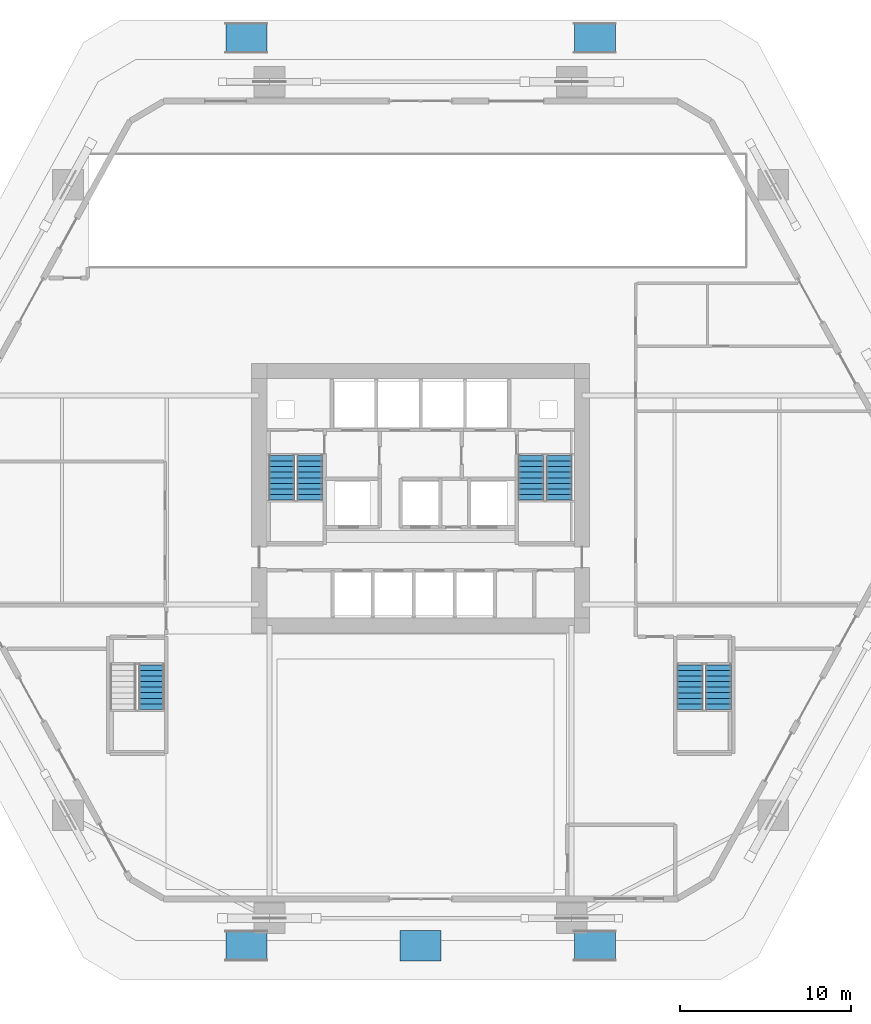
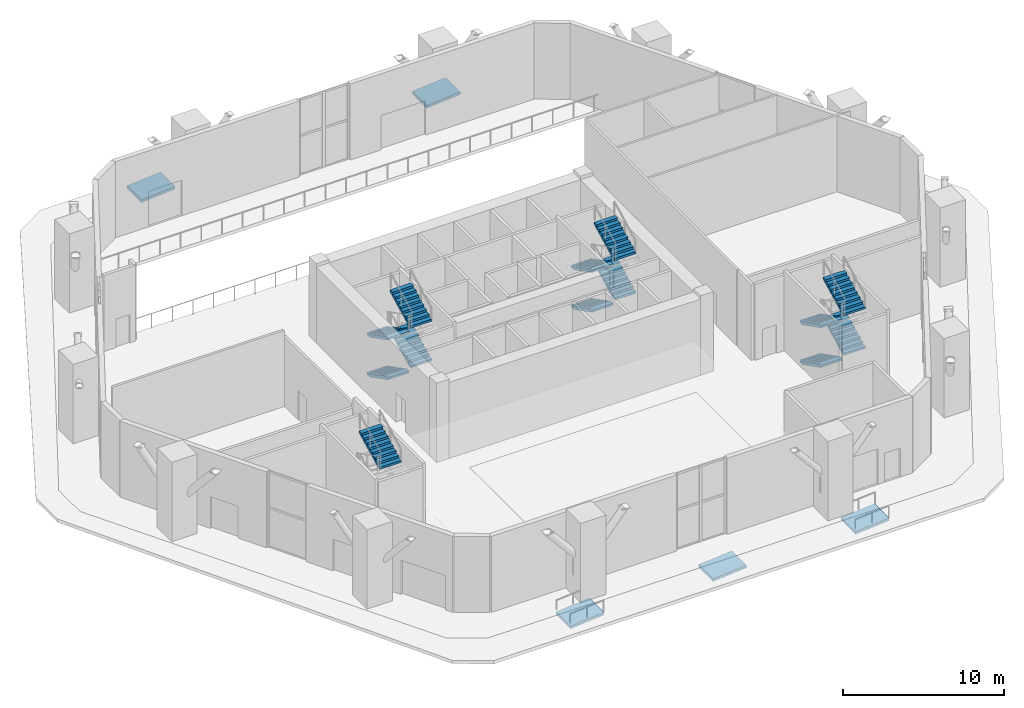
# One storey, part 18 of 22: 13 stair flights, 5 ramp flights, 9 elements without a shape of their own.
"""IFC4 building model written with IfcOpenShell, lengths in metres."""

import ifcopenshell
import ifcopenshell.guid

model = None  # the IFC model being written
_history = None  # IfcOwnerHistory: only IFC2X3 demands one
_inside = {}  # id of a spatial element -> (the spatial element, [elements in it])
_under = {}  # id of a project, library or spatial element -> (it, [spatial elements below it])
_declared = {}  # id of a project -> (the project, [libraries it declares])
_typed = {}  # id of a type object -> (the type object, [elements of that type])
_made_of = {}  # id of a material, layer set ... -> (it, [elements and type objects made of it])


def new_model(schema):
    """Start an empty IFC model of exactly this schema.

    Asked for "IFC4X3", IfcOpenShell would pick the latest addendum, in which some entities
    have other attributes; the version numbers below select the first issue.
    IFC2X3 requires an IfcOwnerHistory on every rooted entity: one is made here for all.
    """
    global model, _history
    if schema == "IFC4X3":
        model = ifcopenshell.file(schema_version=(4, 3, 0, 0))
    else:
        model = ifcopenshell.file(schema=schema)
    _inside.clear()
    _under.clear()
    _declared.clear()
    _typed.clear()
    _made_of.clear()
    _history = None
    if model.schema == "IFC2X3":
        org = make("IfcOrganization", Name="unknown")
        user = make(
            "IfcPersonAndOrganization",
            ThePerson=make("IfcPerson", FamilyName="unknown"),
            TheOrganization=org,
        )
        app = make(
            "IfcApplication",
            ApplicationDeveloper=org,
            Version="unknown",
            ApplicationFullName="unknown",
            ApplicationIdentifier="unknown",
        )
        _history = make(
            "IfcOwnerHistory",
            OwningUser=user,
            OwningApplication=app,
            ChangeAction="ADDED",
            CreationDate=0,
        )
    return model


def make(cls, **values):
    """One entity of the class cls with the attributes given. An attribute that is None is left unset."""
    return model.create_entity(
        cls, **{name: value for name, value in values.items() if value is not None}
    )


def rooted(cls, **values):
    """An entity with a GlobalId (a new one), such as an element, a storey or a relation."""
    return make(cls, GlobalId=ifcopenshell.guid.new(), OwnerHistory=_history, **values)


def si_unit(unit_type, name, prefix=None):
    """IfcSIUnit, for example si_unit("LENGTHUNIT", "METRE", prefix="MILLI")."""
    return make("IfcSIUnit", UnitType=unit_type, Prefix=prefix, Name=name)


def assignment(units):
    """IfcUnitAssignment: the units of a project."""
    return None if units is None else make("IfcUnitAssignment", Units=units)


def point(xyz):
    """IfcCartesianPoint."""
    return None if xyz is None else make("IfcCartesianPoint", Coordinates=xyz)


def direction(xyz):
    """IfcDirection."""
    return None if xyz is None else make("IfcDirection", DirectionRatios=xyz)


def frame(location, z_axis=None, x_axis=None):
    """IfcAxis2Placement3D, a coordinate frame: its origin and axes. An axis left out is left unset."""
    return make(
        "IfcAxis2Placement3D",
        Location=point(location),
        Axis=direction(z_axis),
        RefDirection=direction(x_axis),
    )


def origin():
    """The frame at (0, 0, 0) with its axes left unset."""
    return frame((0.0, 0.0, 0.0))


def place(relative_to, where):
    """IfcLocalPlacement: puts the frame where relative to a parent placement (None: the world)."""
    return make(
        "IfcLocalPlacement", PlacementRelTo=relative_to, RelativePlacement=where
    )


def context(
    kind, dimensions, precision=None, world=None, true_north=None, identifier=None
):
    """IfcGeometricRepresentationContext, for example the 3D "Model" context."""
    return make(
        "IfcGeometricRepresentationContext",
        ContextIdentifier=identifier,
        ContextType=kind,
        CoordinateSpaceDimension=dimensions,
        Precision=precision,
        WorldCoordinateSystem=world,
        TrueNorth=true_north,
    )


def subcontext(parent, identifier, kind, view, scale=None):
    """IfcGeometricRepresentationSubContext, for example "Body" below "Model"."""
    return make(
        "IfcGeometricRepresentationSubContext",
        ContextIdentifier=identifier,
        ContextType=kind,
        ParentContext=parent,
        TargetScale=scale,
        TargetView=view,
    )


def project(units=None, contexts=None):
    """IfcProject with its units and contexts."""
    return rooted(
        "IfcProject",
        Name="project",
        RepresentationContexts=contexts,
        UnitsInContext=assignment(units),
    )


def spatial(cls, under=None, at=None, **own):
    """A site, building, storey or space (cls), placed at a placement, below another one or the project."""
    s = rooted(cls, ObjectPlacement=at, **own)
    if under is not None:
        _under.setdefault(under.id(), (under, []))[1].append(s)
    return s


def polyline(points):
    """IfcPolyline through the points."""
    return make("IfcPolyline", Points=[point(p) for p in points])


def outline(outer, holes=None, kind="AREA"):
    """IfcArbitraryClosedProfileDef: a profile drawn as a closed curve; with holes, ...WithVoids."""
    if holes is None:
        return make("IfcArbitraryClosedProfileDef", ProfileType=kind, OuterCurve=outer)
    return make(
        "IfcArbitraryProfileDefWithVoids",
        ProfileType=kind,
        OuterCurve=outer,
        InnerCurves=holes,
    )


def extrude(swept, where, along, depth):
    """IfcExtrudedAreaSolid: the profile swept, set in the frame where, extruded along a direction by depth."""
    return make(
        "IfcExtrudedAreaSolid",
        SweptArea=swept,
        Position=where,
        ExtrudedDirection=direction(along),
        Depth=depth,
    )


def shape(context_of_items, identifier, shape_type, items):
    """IfcShapeRepresentation: the items that make up one representation, for example the "Body"."""
    return make(
        "IfcShapeRepresentation",
        ContextOfItems=context_of_items,
        RepresentationIdentifier=identifier,
        RepresentationType=shape_type,
        Items=items,
    )


def material(Name=None, Category=None):
    """IfcMaterial."""
    return make("IfcMaterial", Name=Name, Category=Category)


def layer(
    of_material, thickness, ventilated=None, Name=None, Category=None, Priority=None
):
    """IfcMaterialLayer: one layer of a wall or slab, of a material (None: an air gap)."""
    return make(
        "IfcMaterialLayer",
        Material=of_material,
        LayerThickness=thickness,
        IsVentilated=ventilated,
        Name=Name,
        Category=Category,
        Priority=Priority,
    )


def layer_set(layers, Name=None):
    """IfcMaterialLayerSet."""
    return make("IfcMaterialLayerSet", MaterialLayers=layers, LayerSetName=Name)


def made_of(thing, what):
    """Note that an element or type object is made of a material, layer set ...; save() writes the relation."""
    if what is not None:
        _made_of.setdefault(what.id(), (what, []))[1].append(thing)
    return thing


def type_object(cls, material=None, **own):
    """A type object (cls), such as IfcWallType, which elements share."""
    return made_of(rooted(cls, **own), material)


def element(
    cls,
    number,
    at=None,
    inside=None,
    cuts=None,
    type_object=None,
    material=None,
    context=None,
    identifier="Body",
    shape_type=None,
    held_by="IfcProductDefinitionShape",
    body=None,
    shapes=None,
    **own,
):
    """One element of the class cls, such as IfcWall. Its Tag is "e" and its number.

    at: its placement. inside: the storey or other place that contains it. cuts: it is an
    opening in that element (IfcRelVoidsElement). A single representation is given by context,
    identifier, shape_type and body (its items); several are given by shapes. held_by: the class
    of the entity that holds the representations. save() writes the other relations.
    """
    e = rooted(cls, Tag="e%d" % number, ObjectPlacement=at, **own)
    if body is not None:
        shapes = [shape(context, identifier, shape_type, body)]
    if shapes is not None:
        e.Representation = make(held_by, Representations=shapes)
    if inside is not None:
        _inside.setdefault(inside.id(), (inside, []))[1].append(e)
    if cuts is not None:
        rooted(
            "IfcRelVoidsElement", RelatingBuildingElement=cuts, RelatedOpeningElement=e
        )
    if type_object is not None:
        _typed.setdefault(type_object.id(), (type_object, []))[1].append(e)
    return made_of(e, material)


def aggregate(whole, parts):
    """IfcRelAggregates: a whole, such as a stair, and the parts it consists of."""
    return rooted("IfcRelAggregates", RelatingObject=whole, RelatedObjects=parts)


def save(model, path):
    """Write the relations noted so far, then the file.

    IfcRelAggregates (storeys below a building ...), IfcRelContainedInSpatialStructure (elements
    in a storey), IfcRelDefinesByType, IfcRelAssociatesMaterial and IfcRelDeclares: one each for
    every whole, place, type object, material and project.
    """
    for whole, parts in _under.values():
        aggregate(whole, parts)
    for where, things in _inside.values():
        rooted(
            "IfcRelContainedInSpatialStructure",
            RelatedElements=things,
            RelatingStructure=where,
        )
    for kind, things in _typed.values():
        rooted("IfcRelDefinesByType", RelatedObjects=things, RelatingType=kind)
    for what, things in _made_of.values():
        rooted("IfcRelAssociatesMaterial", RelatedObjects=things, RelatingMaterial=what)
    for by, libraries in _declared.values():
        rooted("IfcRelDeclares", RelatingContext=by, RelatedDefinitions=libraries)
    model.write(path)


model = new_model("IFC4")

# Units and contexts
model_context = context("Model", 3, precision=1e-05, world=origin(), true_north=direction((0.0, 1.0)))
body_context = subcontext(model_context, "Body", "Model", "MODEL_VIEW")
ifc_project = project(units=[si_unit("LENGTHUNIT", "METRE"), si_unit("AREAUNIT", "SQUARE_METRE"), si_unit("VOLUMEUNIT", "CUBIC_METRE"), si_unit("PLANEANGLEUNIT", "RADIAN"), si_unit("MASSUNIT", "GRAM", prefix="KILO")], contexts=[model_context])

# Site, building, storey
site_placement = place(None, origin())
site = spatial("IfcSite", under=ifc_project, at=site_placement, CompositionType="ELEMENT")
building_placement = place(site_placement, origin())
building = spatial("IfcBuilding", under=site, at=building_placement, Name="Cinnabar Lancet Tower", CompositionType="ELEMENT")
storey_placement = place(building_placement, origin())
storey = spatial("IfcBuildingStorey", under=building, at=storey_placement, Name="L00", CompositionType="ELEMENT", Elevation=0.0)

# Stair, stair flights
ifc_material_1 = material(Name="Concrete C40/50", Category="concrete")
stair_type_1 = type_object("IfcStairType", Name="ST-CORE", PredefinedType="HALF_TURN_STAIR", material=ifc_material_1)
stair_1_placement = place(storey_placement, origin())
stair_1 = element("IfcStair", 1, at=stair_1_placement, inside=storey, type_object=stair_type_1, Name="L00 ST-1", PredefinedType="HALF_TURN_STAIR")
ifc_material_2 = material(Name="Concrete C40/50", Category="concrete")
stair_flight_type_1 = type_object("IfcStairFlightType", Name="FLIGHT-CORE", PredefinedType="STRAIGHT", material=ifc_material_2)
stair_flight_1_placement = place(storey_placement, frame((24.27490234375, 28.39990234375, 0.0), z_axis=(0.0, 0.0, 1.0), x_axis=(0.0, -1.0, 0.0)))
stair_flight_1 = element("IfcStairFlight", 2, at=stair_flight_1_placement, type_object=stair_flight_type_1, Name="ST-1 flight 1", NumberOfRisers=9, NumberOfTreads=8, PredefinedType="STRAIGHT", RiserHeight=0.166666667, TreadLength=0.325, context=body_context, shape_type="SweptSolid", body=[
    extrude(outline(polyline([(0.0, 0.0), (0.0, 0.166748046875), (0.324951171875, 0.166748046875), (0.324951171875, 0.333251953125), (0.64990234375, 0.333251953125), (0.64990234375, 0.5), (0.97509765625, 0.5), (0.97509765625, 0.666748046875), (1.300048828125, 0.666748046875), (1.300048828125, 0.833251953125), (1.625, 0.833251953125), (1.625, 1.0), (1.949951171875, 1.0), (1.949951171875, 1.166748046875), (2.27490234375, 1.166748046875), (2.27490234375, 1.333251953125), (2.60009765625, 1.333251953125), (2.60009765625, 1.5), (2.60009765625, 1.164794921875), (0.32861328125, 0.0), (0.0, 0.0)])), frame((0.0, 0.75, 0.0), z_axis=(0.0, -1.0, 0.0), x_axis=(1.0, 0.0, 0.0)), (0.0, 0.0, 1.0), 1.5),
])
stair_flight_2_placement = place(storey_placement, frame((25.925048828125, 25.800048828125, 1.5), z_axis=(0.0, 0.0, 1.0), x_axis=(0.0, 1.0, 0.0)))
stair_flight_2 = element("IfcStairFlight", 3, at=stair_flight_2_placement, type_object=stair_flight_type_1, Name="ST-1 flight 2", NumberOfRisers=9, NumberOfTreads=8, PredefinedType="STRAIGHT", RiserHeight=0.166666667, TreadLength=0.325, context=body_context, shape_type="SweptSolid", body=[
    extrude(outline(polyline([(0.0, 0.0), (0.0, 0.166748046875), (0.324951171875, 0.166748046875), (0.324951171875, 0.333251953125), (0.64990234375, 0.333251953125), (0.64990234375, 0.5), (0.97509765625, 0.5), (0.97509765625, 0.666748046875), (1.300048828125, 0.666748046875), (1.300048828125, 0.833251953125), (1.625, 0.833251953125), (1.625, 1.0), (1.949951171875, 1.0), (1.949951171875, 1.166748046875), (2.27490234375, 1.166748046875), (2.27490234375, 1.333251953125), (2.60009765625, 1.333251953125), (2.60009765625, 1.5), (2.60009765625, 1.164794921875), (0.32861328125, 0.0), (0.0, 0.0)])), frame((0.0, 0.75, 0.0), z_axis=(0.0, -1.0, 0.0), x_axis=(1.0, 0.0, 0.0)), (0.0, 0.0, 1.0), 1.5),
])
stair_flight_3_placement = place(storey_placement, frame((24.27490234375, 28.39990234375, 3.0), z_axis=(0.0, 0.0, 1.0), x_axis=(0.0, -1.0, 0.0)))
stair_flight_3 = element("IfcStairFlight", 4, at=stair_flight_3_placement, type_object=stair_flight_type_1, Name="ST-1 flight 3", NumberOfRisers=9, NumberOfTreads=8, PredefinedType="STRAIGHT", RiserHeight=0.166666667, TreadLength=0.325, context=body_context, shape_type="SweptSolid", body=[
    extrude(outline(polyline([(0.0, 0.0), (0.0, 0.166748046875), (0.324951171875, 0.166748046875), (0.324951171875, 0.333251953125), (0.64990234375, 0.333251953125), (0.64990234375, 0.5), (0.97509765625, 0.5), (0.97509765625, 0.666748046875), (1.300048828125, 0.666748046875), (1.300048828125, 0.833251953125), (1.625, 0.833251953125), (1.625, 1.0), (1.949951171875, 1.0), (1.949951171875, 1.166748046875), (2.27490234375, 1.166748046875), (2.27490234375, 1.333251953125), (2.60009765625, 1.333251953125), (2.60009765625, 1.5), (2.60009765625, 1.164794921875), (0.32861328125, 0.0), (0.0, 0.0)])), frame((0.0, 0.75, 0.0), z_axis=(0.0, -1.0, 0.0), x_axis=(1.0, 0.0, 0.0)), (0.0, 0.0, 1.0), 1.5),
])
stair_flight_4_placement = place(storey_placement, frame((25.925048828125, 25.800048828125, 4.5), z_axis=(0.0, 0.0, 1.0), x_axis=(0.0, 1.0, 0.0)))
stair_flight_4 = element("IfcStairFlight", 5, at=stair_flight_4_placement, type_object=stair_flight_type_1, Name="ST-1 flight 4", NumberOfRisers=9, NumberOfTreads=8, PredefinedType="STRAIGHT", RiserHeight=0.166666667, TreadLength=0.325, context=body_context, shape_type="SweptSolid", body=[
    extrude(outline(polyline([(0.0, 0.0), (0.0, 0.166748046875), (0.324951171875, 0.166748046875), (0.324951171875, 0.333251953125), (0.64990234375, 0.333251953125), (0.64990234375, 0.5), (0.97509765625, 0.5), (0.97509765625, 0.666748046875), (1.300048828125, 0.666748046875), (1.300048828125, 0.833251953125), (1.625, 0.833251953125), (1.625, 1.0), (1.949951171875, 1.0), (1.949951171875, 1.166748046875), (2.27490234375, 1.166748046875), (2.27490234375, 1.333251953125), (2.60009765625, 1.333251953125), (2.60009765625, 1.5), (2.60009765625, 1.164794921875), (0.32861328125, 0.0), (0.0, 0.0)])), frame((0.0, 0.75, 0.0), z_axis=(0.0, -1.0, 0.0), x_axis=(1.0, 0.0, 0.0)), (0.0, 0.0, 1.0), 1.5),
])
aggregate(stair_1, [stair_flight_1, stair_flight_2, stair_flight_3, stair_flight_4])

stair_2_placement = place(storey_placement, origin())
stair_2 = element("IfcStair", 6, at=stair_2_placement, inside=storey, type_object=stair_type_1, Name="L00 ST-2", PredefinedType="HALF_TURN_STAIR")
stair_flight_5_placement = place(storey_placement, frame((38.875, 28.39990234375, 0.0), z_axis=(0.0, 0.0, 1.0), x_axis=(0.0, -1.0, 0.0)))
stair_flight_5 = element("IfcStairFlight", 7, at=stair_flight_5_placement, type_object=stair_flight_type_1, Name="ST-2 flight 1", NumberOfRisers=9, NumberOfTreads=8, PredefinedType="STRAIGHT", RiserHeight=0.166666667, TreadLength=0.325, context=body_context, shape_type="SweptSolid", body=[
    extrude(outline(polyline([(0.0, 0.0), (0.0, 0.166748046875), (0.324951171875, 0.166748046875), (0.324951171875, 0.333251953125), (0.64990234375, 0.333251953125), (0.64990234375, 0.5), (0.97509765625, 0.5), (0.97509765625, 0.666748046875), (1.300048828125, 0.666748046875), (1.300048828125, 0.833251953125), (1.625, 0.833251953125), (1.625, 1.0), (1.949951171875, 1.0), (1.949951171875, 1.166748046875), (2.27490234375, 1.166748046875), (2.27490234375, 1.333251953125), (2.60009765625, 1.333251953125), (2.60009765625, 1.5), (2.60009765625, 1.164794921875), (0.32861328125, 0.0), (0.0, 0.0)])), frame((0.0, 0.75, 0.0), z_axis=(0.0, -1.0, 0.0), x_axis=(1.0, 0.0, 0.0)), (0.0, 0.0, 1.0), 1.5),
])
stair_flight_6_placement = place(storey_placement, frame((40.52490234375, 25.800048828125, 1.5), z_axis=(0.0, 0.0, 1.0), x_axis=(0.0, 1.0, 0.0)))
stair_flight_6 = element("IfcStairFlight", 8, at=stair_flight_6_placement, type_object=stair_flight_type_1, Name="ST-2 flight 2", NumberOfRisers=9, NumberOfTreads=8, PredefinedType="STRAIGHT", RiserHeight=0.166666667, TreadLength=0.325, context=body_context, shape_type="SweptSolid", body=[
    extrude(outline(polyline([(0.0, 0.0), (0.0, 0.166748046875), (0.324951171875, 0.166748046875), (0.324951171875, 0.333251953125), (0.64990234375, 0.333251953125), (0.64990234375, 0.5), (0.97509765625, 0.5), (0.97509765625, 0.666748046875), (1.300048828125, 0.666748046875), (1.300048828125, 0.833251953125), (1.625, 0.833251953125), (1.625, 1.0), (1.949951171875, 1.0), (1.949951171875, 1.166748046875), (2.27490234375, 1.166748046875), (2.27490234375, 1.333251953125), (2.60009765625, 1.333251953125), (2.60009765625, 1.5), (2.60009765625, 1.164794921875), (0.32861328125, 0.0), (0.0, 0.0)])), frame((0.0, 0.75, 0.0), z_axis=(0.0, -1.0, 0.0), x_axis=(1.0, 0.0, 0.0)), (0.0, 0.0, 1.0), 1.5),
])
stair_flight_7_placement = place(storey_placement, frame((38.875, 28.39990234375, 3.0), z_axis=(0.0, 0.0, 1.0), x_axis=(0.0, -1.0, 0.0)))
stair_flight_7 = element("IfcStairFlight", 9, at=stair_flight_7_placement, type_object=stair_flight_type_1, Name="ST-2 flight 3", NumberOfRisers=9, NumberOfTreads=8, PredefinedType="STRAIGHT", RiserHeight=0.166666667, TreadLength=0.325, context=body_context, shape_type="SweptSolid", body=[
    extrude(outline(polyline([(0.0, 0.0), (0.0, 0.166748046875), (0.324951171875, 0.166748046875), (0.324951171875, 0.333251953125), (0.64990234375, 0.333251953125), (0.64990234375, 0.5), (0.97509765625, 0.5), (0.97509765625, 0.666748046875), (1.300048828125, 0.666748046875), (1.300048828125, 0.833251953125), (1.625, 0.833251953125), (1.625, 1.0), (1.949951171875, 1.0), (1.949951171875, 1.166748046875), (2.27490234375, 1.166748046875), (2.27490234375, 1.333251953125), (2.60009765625, 1.333251953125), (2.60009765625, 1.5), (2.60009765625, 1.164794921875), (0.32861328125, 0.0), (0.0, 0.0)])), frame((0.0, 0.75, 0.0), z_axis=(0.0, -1.0, 0.0), x_axis=(1.0, 0.0, 0.0)), (0.0, 0.0, 1.0), 1.5),
])
stair_flight_8_placement = place(storey_placement, frame((40.52490234375, 25.800048828125, 4.5), z_axis=(0.0, 0.0, 1.0), x_axis=(0.0, 1.0, 0.0)))
stair_flight_8 = element("IfcStairFlight", 10, at=stair_flight_8_placement, type_object=stair_flight_type_1, Name="ST-2 flight 4", NumberOfRisers=9, NumberOfTreads=8, PredefinedType="STRAIGHT", RiserHeight=0.166666667, TreadLength=0.325, context=body_context, shape_type="SweptSolid", body=[
    extrude(outline(polyline([(0.0, 0.0), (0.0, 0.166748046875), (0.324951171875, 0.166748046875), (0.324951171875, 0.333251953125), (0.64990234375, 0.333251953125), (0.64990234375, 0.5), (0.97509765625, 0.5), (0.97509765625, 0.666748046875), (1.300048828125, 0.666748046875), (1.300048828125, 0.833251953125), (1.625, 0.833251953125), (1.625, 1.0), (1.949951171875, 1.0), (1.949951171875, 1.166748046875), (2.27490234375, 1.166748046875), (2.27490234375, 1.333251953125), (2.60009765625, 1.333251953125), (2.60009765625, 1.5), (2.60009765625, 1.164794921875), (0.32861328125, 0.0), (0.0, 0.0)])), frame((0.0, 0.75, 0.0), z_axis=(0.0, -1.0, 0.0), x_axis=(1.0, 0.0, 0.0)), (0.0, 0.0, 1.0), 1.5),
])
aggregate(stair_2, [stair_flight_5, stair_flight_6, stair_flight_7, stair_flight_8])

# Stair, stair flight
ifc_material_3 = material(Name="Concrete C40/50", Category="concrete")
stair_type_2 = type_object("IfcStairType", Name="ST-POD", PredefinedType="HALF_TURN_STAIR", material=ifc_material_3)
stair_3_placement = place(storey_placement, origin())
stair_3 = element("IfcStair", 11, at=stair_3_placement, inside=storey, type_object=stair_type_2, Name="L00 ST-3", PredefinedType="HALF_TURN_STAIR")
ifc_material_4 = material(Name="Concrete C40/50", Category="concrete")
stair_flight_type_2 = type_object("IfcStairFlightType", Name="FLIGHT-POD", PredefinedType="STRAIGHT", material=ifc_material_4)
stair_flight_9_placement = place(storey_placement, frame((16.655029296875, 13.53564453125, 4.5), z_axis=(0.0, 0.0, 1.0), x_axis=(0.0, 1.0, 0.0)))
stair_flight_9 = element("IfcStairFlight", 12, at=stair_flight_9_placement, type_object=stair_flight_type_2, Name="ST-3 flight 4", NumberOfRisers=9, NumberOfTreads=8, PredefinedType="STRAIGHT", RiserHeight=0.166666667, TreadLength=0.3268, context=body_context, shape_type="SweptSolid", body=[
    extrude(outline(polyline([(0.0, 0.0), (0.0, 0.166748046875), (0.326904296875, 0.166748046875), (0.326904296875, 0.333251953125), (0.653564453125, 0.333251953125), (0.653564453125, 0.5), (0.98046875, 0.5), (0.98046875, 0.666748046875), (1.30712890625, 0.666748046875), (1.30712890625, 0.833251953125), (1.634033203125, 0.833251953125), (1.634033203125, 1.0), (1.960693359375, 1.0), (1.960693359375, 1.166748046875), (2.28759765625, 1.166748046875), (2.28759765625, 1.333251953125), (2.614501953125, 1.333251953125), (2.614501953125, 1.5), (2.614501953125, 1.1650390625), (0.329833984375, 0.0), (0.0, 0.0)])), frame((0.0, 0.760009765625, 0.0), z_axis=(0.0, -1.0, 0.0), x_axis=(1.0, 0.0, 0.0)), (0.0, 0.0, 1.0), 1.52001953125),
])
aggregate(stair_3, [stair_flight_9])

# Stair, stair flights
stair_4_placement = place(storey_placement, origin())
stair_4 = element("IfcStair", 13, at=stair_4_placement, inside=storey, type_object=stair_type_2, Name="L00 ST-4", PredefinedType="HALF_TURN_STAIR")
stair_flight_10_placement = place(storey_placement, frame((48.18505859375, 16.14990234375, 0.0), z_axis=(0.0, 0.0, 1.0), x_axis=(0.0, -1.0, 0.0)))
stair_flight_10 = element("IfcStairFlight", 14, at=stair_flight_10_placement, type_object=stair_flight_type_2, Name="ST-4 flight 1", NumberOfRisers=9, NumberOfTreads=8, PredefinedType="STRAIGHT", RiserHeight=0.166666667, TreadLength=0.3268, context=body_context, shape_type="SweptSolid", body=[
    extrude(outline(polyline([(0.0, 0.0), (0.0, 0.166748046875), (0.326904296875, 0.166748046875), (0.326904296875, 0.333251953125), (0.653564453125, 0.333251953125), (0.653564453125, 0.5), (0.98046875, 0.5), (0.98046875, 0.666748046875), (1.30712890625, 0.666748046875), (1.30712890625, 0.833251953125), (1.634033203125, 0.833251953125), (1.634033203125, 1.0), (1.960693359375, 1.0), (1.960693359375, 1.166748046875), (2.28759765625, 1.166748046875), (2.28759765625, 1.333251953125), (2.614501953125, 1.333251953125), (2.614501953125, 1.5), (2.614501953125, 1.1650390625), (0.329833984375, 0.0), (0.0, 0.0)])), frame((0.0, 0.760009765625, 0.0), z_axis=(0.0, -1.0, 0.0), x_axis=(1.0, 0.0, 0.0)), (0.0, 0.0, 1.0), 1.52001953125),
])
stair_flight_11_placement = place(storey_placement, frame((49.85498046875, 13.53564453125, 1.5), z_axis=(0.0, 0.0, 1.0), x_axis=(0.0, 1.0, 0.0)))
stair_flight_11 = element("IfcStairFlight", 15, at=stair_flight_11_placement, type_object=stair_flight_type_2, Name="ST-4 flight 2", NumberOfRisers=9, NumberOfTreads=8, PredefinedType="STRAIGHT", RiserHeight=0.166666667, TreadLength=0.3268, context=body_context, shape_type="SweptSolid", body=[
    extrude(outline(polyline([(0.0, 0.0), (0.0, 0.166748046875), (0.326904296875, 0.166748046875), (0.326904296875, 0.333251953125), (0.653564453125, 0.333251953125), (0.653564453125, 0.5), (0.98046875, 0.5), (0.98046875, 0.666748046875), (1.30712890625, 0.666748046875), (1.30712890625, 0.833251953125), (1.634033203125, 0.833251953125), (1.634033203125, 1.0), (1.960693359375, 1.0), (1.960693359375, 1.166748046875), (2.28759765625, 1.166748046875), (2.28759765625, 1.333251953125), (2.614501953125, 1.333251953125), (2.614501953125, 1.5), (2.614501953125, 1.1650390625), (0.329833984375, 0.0), (0.0, 0.0)])), frame((0.0, 0.760009765625, 0.0), z_axis=(0.0, -1.0, 0.0), x_axis=(1.0, 0.0, 0.0)), (0.0, 0.0, 1.0), 1.52001953125),
])
stair_flight_12_placement = place(storey_placement, frame((48.18505859375, 16.14990234375, 3.0), z_axis=(0.0, 0.0, 1.0), x_axis=(0.0, -1.0, 0.0)))
stair_flight_12 = element("IfcStairFlight", 16, at=stair_flight_12_placement, type_object=stair_flight_type_2, Name="ST-4 flight 3", NumberOfRisers=9, NumberOfTreads=8, PredefinedType="STRAIGHT", RiserHeight=0.166666667, TreadLength=0.3268, context=body_context, shape_type="SweptSolid", body=[
    extrude(outline(polyline([(0.0, 0.0), (0.0, 0.166748046875), (0.326904296875, 0.166748046875), (0.326904296875, 0.333251953125), (0.653564453125, 0.333251953125), (0.653564453125, 0.5), (0.98046875, 0.5), (0.98046875, 0.666748046875), (1.30712890625, 0.666748046875), (1.30712890625, 0.833251953125), (1.634033203125, 0.833251953125), (1.634033203125, 1.0), (1.960693359375, 1.0), (1.960693359375, 1.166748046875), (2.28759765625, 1.166748046875), (2.28759765625, 1.333251953125), (2.614501953125, 1.333251953125), (2.614501953125, 1.5), (2.614501953125, 1.1650390625), (0.329833984375, 0.0), (0.0, 0.0)])), frame((0.0, 0.760009765625, 0.0), z_axis=(0.0, -1.0, 0.0), x_axis=(1.0, 0.0, 0.0)), (0.0, 0.0, 1.0), 1.52001953125),
])
stair_flight_13_placement = place(storey_placement, frame((49.85498046875, 13.53564453125, 4.5), z_axis=(0.0, 0.0, 1.0), x_axis=(0.0, 1.0, 0.0)))
stair_flight_13 = element("IfcStairFlight", 17, at=stair_flight_13_placement, type_object=stair_flight_type_2, Name="ST-4 flight 4", NumberOfRisers=9, NumberOfTreads=8, PredefinedType="STRAIGHT", RiserHeight=0.166666667, TreadLength=0.3268, context=body_context, shape_type="SweptSolid", body=[
    extrude(outline(polyline([(0.0, 0.0), (0.0, 0.166748046875), (0.326904296875, 0.166748046875), (0.326904296875, 0.333251953125), (0.653564453125, 0.333251953125), (0.653564453125, 0.5), (0.98046875, 0.5), (0.98046875, 0.666748046875), (1.30712890625, 0.666748046875), (1.30712890625, 0.833251953125), (1.634033203125, 0.833251953125), (1.634033203125, 1.0), (1.960693359375, 1.0), (1.960693359375, 1.166748046875), (2.28759765625, 1.166748046875), (2.28759765625, 1.333251953125), (2.614501953125, 1.333251953125), (2.614501953125, 1.5), (2.614501953125, 1.1650390625), (0.329833984375, 0.0), (0.0, 0.0)])), frame((0.0, 0.760009765625, 0.0), z_axis=(0.0, -1.0, 0.0), x_axis=(1.0, 0.0, 0.0)), (0.0, 0.0, 1.0), 1.52001953125),
])
aggregate(stair_4, [stair_flight_10, stair_flight_11, stair_flight_12, stair_flight_13])

# Ramp, ramp flight
ifc_material_5 = material(Name="Concrete C40/50", Category="concrete")
ramp_type = type_object("IfcRampType", Name="STR-RMP-ACC", PredefinedType="STRAIGHT_RUN_RAMP", material=ifc_material_5)
ramp_1_placement = place(storey_placement, origin())
ramp_1 = element("IfcRamp", 18, at=ramp_1_placement, inside=storey, type_object=ramp_type, Name="Accessible Pedestrian Entrance Ramp AR-01", PredefinedType="STRAIGHT_RUN_RAMP")
ifc_material_6 = material(Name="Concrete C40/50", Category="concrete")
ifc_layer = layer(ifc_material_6, 0.199951171875)
ifc_layer_set = layer_set([ifc_layer], Name="Concrete C40/50")
ramp_flight_type = type_object("IfcRampFlightType", Name="STR-RFL-ACC-200", PredefinedType="STRAIGHT", material=ifc_layer_set)
ramp_flight_1_placement = place(storey_placement, frame((21.0, -0.2998046875, -0.199951171875), z_axis=(0.0, 0.0, 1.0), x_axis=(1.0, 0.0, 0.0)))
ramp_flight_1 = element("IfcRampFlight", 19, at=ramp_flight_1_placement, type_object=ramp_flight_type, Name="Accessible Pedestrian Ramp AR-01 Flight 1", PredefinedType="STRAIGHT", context=body_context, shape_type="SweptSolid", body=[
    extrude(outline(polyline([(0.0, -0.20068359375), (0.0, 0.0), (2.39990234375, 0.199951171875), (2.39990234375, -0.000732421875), (0.0, -0.20068359375)])), frame((0.0, 0.89990234375, 0.0), z_axis=(0.0, -1.0, 0.0), x_axis=(1.0, 0.0, 0.0)), (0.0, 0.0, 1.0), 1.800048828125),
])
aggregate(ramp_1, [ramp_flight_1])

ramp_2_placement = place(storey_placement, origin())
ramp_2 = element("IfcRamp", 20, at=ramp_2_placement, inside=storey, type_object=ramp_type, Name="Accessible Pedestrian Entrance Ramp AR-02", PredefinedType="STRAIGHT_RUN_RAMP")
ramp_flight_2_placement = place(storey_placement, frame((41.39990234375, -0.2998046875, -0.199951171875), z_axis=(0.0, 0.0, 1.0), x_axis=(1.0, 0.0, 0.0)))
ramp_flight_2 = element("IfcRampFlight", 21, at=ramp_flight_2_placement, type_object=ramp_flight_type, Name="Accessible Pedestrian Ramp AR-02 Flight 1", PredefinedType="STRAIGHT", context=body_context, shape_type="SweptSolid", body=[
    extrude(outline(polyline([(0.0, -0.20068359375), (0.0, 0.0), (2.400146484375, 0.199951171875), (2.400146484375, -0.000732421875), (0.0, -0.20068359375)])), frame((0.0, 0.89990234375, 0.0), z_axis=(0.0, -1.0, 0.0), x_axis=(1.0, 0.0, 0.0)), (0.0, 0.0, 1.0), 1.800048828125),
])
aggregate(ramp_2, [ramp_flight_2])

ramp_3_placement = place(storey_placement, origin())
ramp_3 = element("IfcRamp", 22, at=ramp_3_placement, inside=storey, type_object=ramp_type, Name="Accessible Pedestrian Entrance Ramp AR-03", PredefinedType="STRAIGHT_RUN_RAMP")
ramp_flight_3_placement = place(storey_placement, frame((31.199951171875, -0.2998046875, -0.199951171875), z_axis=(0.0, 0.0, 1.0), x_axis=(1.0, 0.0, 0.0)))
ramp_flight_3 = element("IfcRampFlight", 23, at=ramp_flight_3_placement, type_object=ramp_flight_type, Name="Accessible Pedestrian Ramp AR-03 Flight 1", PredefinedType="STRAIGHT", context=body_context, shape_type="SweptSolid", body=[
    extrude(outline(polyline([(0.0, -0.20068359375), (0.0, 0.0), (2.400146484375, 0.199951171875), (2.400146484375, -0.000732421875), (0.0, -0.20068359375)])), frame((0.0, 0.89990234375, 0.0), z_axis=(0.0, -1.0, 0.0), x_axis=(1.0, 0.0, 0.0)), (0.0, 0.0, 1.0), 1.800048828125),
])
aggregate(ramp_3, [ramp_flight_3])

ramp_4_placement = place(storey_placement, origin())
ramp_4 = element("IfcRamp", 24, at=ramp_4_placement, inside=storey, type_object=ramp_type, Name="Accessible Pedestrian Entrance Ramp AR-04", PredefinedType="STRAIGHT_RUN_RAMP")
ramp_flight_4_placement = place(storey_placement, frame((21.0, 52.85009765625, -0.199951171875), z_axis=(0.0, 0.0, 1.0), x_axis=(1.0, 0.0, 0.0)))
ramp_flight_4 = element("IfcRampFlight", 25, at=ramp_flight_4_placement, type_object=ramp_flight_type, Name="Accessible Pedestrian Ramp AR-04 Flight 1", PredefinedType="STRAIGHT", context=body_context, shape_type="SweptSolid", body=[
    extrude(outline(polyline([(0.0, -0.20068359375), (0.0, 0.0), (2.39990234375, 0.199951171875), (2.39990234375, -0.000732421875), (0.0, -0.20068359375)])), frame((0.0, 0.89990234375, 0.0), z_axis=(0.0, -1.0, 0.0), x_axis=(1.0, 0.0, 0.0)), (0.0, 0.0, 1.0), 1.800048828125),
])
aggregate(ramp_4, [ramp_flight_4])

ramp_5_placement = place(storey_placement, origin())
ramp_5 = element("IfcRamp", 26, at=ramp_5_placement, inside=storey, type_object=ramp_type, Name="Accessible Pedestrian Entrance Ramp AR-05", PredefinedType="STRAIGHT_RUN_RAMP")
ramp_flight_5_placement = place(storey_placement, frame((41.39990234375, 52.85009765625, -0.199951171875), z_axis=(0.0, 0.0, 1.0), x_axis=(1.0, 0.0, 0.0)))
ramp_flight_5 = element("IfcRampFlight", 27, at=ramp_flight_5_placement, type_object=ramp_flight_type, Name="Accessible Pedestrian Ramp AR-05 Flight 1", PredefinedType="STRAIGHT", context=body_context, shape_type="SweptSolid", body=[
    extrude(outline(polyline([(0.0, -0.20068359375), (0.0, 0.0), (2.400146484375, 0.199951171875), (2.400146484375, -0.000732421875), (0.0, -0.20068359375)])), frame((0.0, 0.89990234375, 0.0), z_axis=(0.0, -1.0, 0.0), x_axis=(1.0, 0.0, 0.0)), (0.0, 0.0, 1.0), 1.800048828125),
])
aggregate(ramp_5, [ramp_flight_5])

save(model, "model.ifc")
